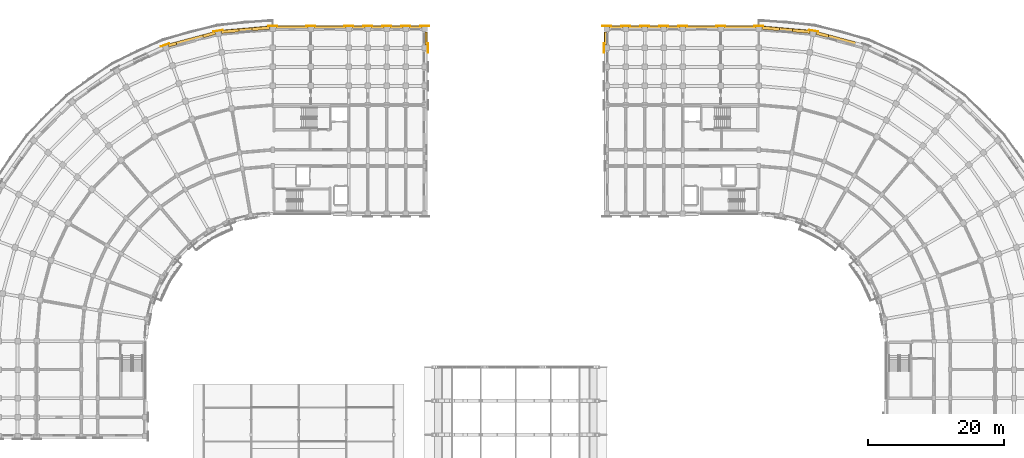
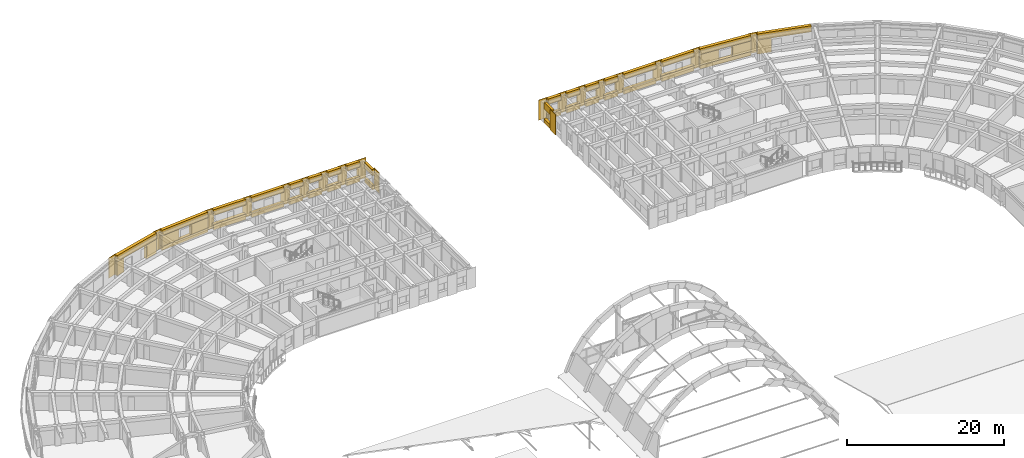
# One storey, part 75 of 76: 60 coverings.
"""IFC4 building model written with IfcOpenShell, lengths in metres."""

import ifcopenshell
import ifcopenshell.guid

model = None  # the IFC model being written
_history = None  # IfcOwnerHistory: only IFC2X3 demands one
_inside = {}  # id of a spatial element -> (the spatial element, [elements in it])
_under = {}  # id of a project, library or spatial element -> (it, [spatial elements below it])
_declared = {}  # id of a project -> (the project, [libraries it declares])
_typed = {}  # id of a type object -> (the type object, [elements of that type])
_made_of = {}  # id of a material, layer set ... -> (it, [elements and type objects made of it])


def new_model(schema):
    """Start an empty IFC model of exactly this schema.

    Asked for "IFC4X3", IfcOpenShell would pick the latest addendum, in which some entities
    have other attributes; the version numbers below select the first issue.
    IFC2X3 requires an IfcOwnerHistory on every rooted entity: one is made here for all.
    """
    global model, _history
    if schema == "IFC4X3":
        model = ifcopenshell.file(schema_version=(4, 3, 0, 0))
    else:
        model = ifcopenshell.file(schema=schema)
    _inside.clear()
    _under.clear()
    _declared.clear()
    _typed.clear()
    _made_of.clear()
    _history = None
    if model.schema == "IFC2X3":
        org = make("IfcOrganization", Name="unknown")
        user = make(
            "IfcPersonAndOrganization",
            ThePerson=make("IfcPerson", FamilyName="unknown"),
            TheOrganization=org,
        )
        app = make(
            "IfcApplication",
            ApplicationDeveloper=org,
            Version="unknown",
            ApplicationFullName="unknown",
            ApplicationIdentifier="unknown",
        )
        _history = make(
            "IfcOwnerHistory",
            OwningUser=user,
            OwningApplication=app,
            ChangeAction="ADDED",
            CreationDate=0,
        )
    return model


def make(cls, **values):
    """One entity of the class cls with the attributes given. An attribute that is None is left unset."""
    return model.create_entity(
        cls, **{name: value for name, value in values.items() if value is not None}
    )


def rooted(cls, **values):
    """An entity with a GlobalId (a new one), such as an element, a storey or a relation."""
    return make(cls, GlobalId=ifcopenshell.guid.new(), OwnerHistory=_history, **values)


def si_unit(unit_type, name, prefix=None):
    """IfcSIUnit, for example si_unit("LENGTHUNIT", "METRE", prefix="MILLI")."""
    return make("IfcSIUnit", UnitType=unit_type, Prefix=prefix, Name=name)


def assignment(units):
    """IfcUnitAssignment: the units of a project."""
    return None if units is None else make("IfcUnitAssignment", Units=units)


def point(xyz):
    """IfcCartesianPoint."""
    return None if xyz is None else make("IfcCartesianPoint", Coordinates=xyz)


def direction(xyz):
    """IfcDirection."""
    return None if xyz is None else make("IfcDirection", DirectionRatios=xyz)


def frame(location, z_axis=None, x_axis=None):
    """IfcAxis2Placement3D, a coordinate frame: its origin and axes. An axis left out is left unset."""
    return make(
        "IfcAxis2Placement3D",
        Location=point(location),
        Axis=direction(z_axis),
        RefDirection=direction(x_axis),
    )


def origin():
    """The frame at (0, 0, 0) with its axes left unset."""
    return frame((0.0, 0.0, 0.0))


def place(relative_to, where):
    """IfcLocalPlacement: puts the frame where relative to a parent placement (None: the world)."""
    return make(
        "IfcLocalPlacement", PlacementRelTo=relative_to, RelativePlacement=where
    )


def context(
    kind, dimensions, precision=None, world=None, true_north=None, identifier=None
):
    """IfcGeometricRepresentationContext, for example the 3D "Model" context."""
    return make(
        "IfcGeometricRepresentationContext",
        ContextIdentifier=identifier,
        ContextType=kind,
        CoordinateSpaceDimension=dimensions,
        Precision=precision,
        WorldCoordinateSystem=world,
        TrueNorth=true_north,
    )


def subcontext(parent, identifier, kind, view, scale=None):
    """IfcGeometricRepresentationSubContext, for example "Body" below "Model"."""
    return make(
        "IfcGeometricRepresentationSubContext",
        ContextIdentifier=identifier,
        ContextType=kind,
        ParentContext=parent,
        TargetScale=scale,
        TargetView=view,
    )


def project(units=None, contexts=None):
    """IfcProject with its units and contexts."""
    return rooted(
        "IfcProject",
        Name="project",
        RepresentationContexts=contexts,
        UnitsInContext=assignment(units),
    )


def spatial(cls, under=None, at=None, **own):
    """A site, building, storey or space (cls), placed at a placement, below another one or the project."""
    s = rooted(cls, ObjectPlacement=at, **own)
    if under is not None:
        _under.setdefault(under.id(), (under, []))[1].append(s)
    return s


def polyline(points):
    """IfcPolyline through the points."""
    return make("IfcPolyline", Points=[point(p) for p in points])


def outline(outer, holes=None, kind="AREA"):
    """IfcArbitraryClosedProfileDef: a profile drawn as a closed curve; with holes, ...WithVoids."""
    if holes is None:
        return make("IfcArbitraryClosedProfileDef", ProfileType=kind, OuterCurve=outer)
    return make(
        "IfcArbitraryProfileDefWithVoids",
        ProfileType=kind,
        OuterCurve=outer,
        InnerCurves=holes,
    )


def extrude(swept, where, along, depth):
    """IfcExtrudedAreaSolid: the profile swept, set in the frame where, extruded along a direction by depth."""
    return make(
        "IfcExtrudedAreaSolid",
        SweptArea=swept,
        Position=where,
        ExtrudedDirection=direction(along),
        Depth=depth,
    )


def shape(context_of_items, identifier, shape_type, items):
    """IfcShapeRepresentation: the items that make up one representation, for example the "Body"."""
    return make(
        "IfcShapeRepresentation",
        ContextOfItems=context_of_items,
        RepresentationIdentifier=identifier,
        RepresentationType=shape_type,
        Items=items,
    )


def material(Name=None, Category=None):
    """IfcMaterial."""
    return make("IfcMaterial", Name=Name, Category=Category)


def layer(
    of_material, thickness, ventilated=None, Name=None, Category=None, Priority=None
):
    """IfcMaterialLayer: one layer of a wall or slab, of a material (None: an air gap)."""
    return make(
        "IfcMaterialLayer",
        Material=of_material,
        LayerThickness=thickness,
        IsVentilated=ventilated,
        Name=Name,
        Category=Category,
        Priority=Priority,
    )


def layer_set(layers, Name=None):
    """IfcMaterialLayerSet."""
    return make("IfcMaterialLayerSet", MaterialLayers=layers, LayerSetName=Name)


def made_of(thing, what):
    """Note that an element or type object is made of a material, layer set ...; save() writes the relation."""
    if what is not None:
        _made_of.setdefault(what.id(), (what, []))[1].append(thing)
    return thing


def type_object(cls, material=None, **own):
    """A type object (cls), such as IfcWallType, which elements share."""
    return made_of(rooted(cls, **own), material)


def element(
    cls,
    number,
    at=None,
    inside=None,
    cuts=None,
    type_object=None,
    material=None,
    context=None,
    identifier="Body",
    shape_type=None,
    held_by="IfcProductDefinitionShape",
    body=None,
    shapes=None,
    **own,
):
    """One element of the class cls, such as IfcWall. Its Tag is "e" and its number.

    at: its placement. inside: the storey or other place that contains it. cuts: it is an
    opening in that element (IfcRelVoidsElement). A single representation is given by context,
    identifier, shape_type and body (its items); several are given by shapes. held_by: the class
    of the entity that holds the representations. save() writes the other relations.
    """
    e = rooted(cls, Tag="e%d" % number, ObjectPlacement=at, **own)
    if body is not None:
        shapes = [shape(context, identifier, shape_type, body)]
    if shapes is not None:
        e.Representation = make(held_by, Representations=shapes)
    if inside is not None:
        _inside.setdefault(inside.id(), (inside, []))[1].append(e)
    if cuts is not None:
        rooted(
            "IfcRelVoidsElement", RelatingBuildingElement=cuts, RelatedOpeningElement=e
        )
    if type_object is not None:
        _typed.setdefault(type_object.id(), (type_object, []))[1].append(e)
    return made_of(e, material)


def aggregate(whole, parts):
    """IfcRelAggregates: a whole, such as a stair, and the parts it consists of."""
    return rooted("IfcRelAggregates", RelatingObject=whole, RelatedObjects=parts)


def save(model, path):
    """Write the relations noted so far, then the file.

    IfcRelAggregates (storeys below a building ...), IfcRelContainedInSpatialStructure (elements
    in a storey), IfcRelDefinesByType, IfcRelAssociatesMaterial and IfcRelDeclares: one each for
    every whole, place, type object, material and project.
    """
    for whole, parts in _under.values():
        aggregate(whole, parts)
    for where, things in _inside.values():
        rooted(
            "IfcRelContainedInSpatialStructure",
            RelatedElements=things,
            RelatingStructure=where,
        )
    for kind, things in _typed.values():
        rooted("IfcRelDefinesByType", RelatedObjects=things, RelatingType=kind)
    for what, things in _made_of.values():
        rooted("IfcRelAssociatesMaterial", RelatedObjects=things, RelatingMaterial=what)
    for by, libraries in _declared.values():
        rooted("IfcRelDeclares", RelatingContext=by, RelatedDefinitions=libraries)
    model.write(path)


model = new_model("IFC4")

# Units and contexts
model_context = context("Model", 3, precision=1e-05, world=origin(), true_north=direction((0.0, 1.0)))
body_context = subcontext(model_context, "Body", "Model", "MODEL_VIEW")
ifc_project = project(units=[si_unit("LENGTHUNIT", "METRE"), si_unit("AREAUNIT", "SQUARE_METRE"), si_unit("VOLUMEUNIT", "CUBIC_METRE"), si_unit("PLANEANGLEUNIT", "RADIAN"), si_unit("MASSUNIT", "GRAM", prefix="KILO")], contexts=[model_context])

# Site, building, storey
site_placement = place(None, origin())
site = spatial("IfcSite", under=ifc_project, at=site_placement, CompositionType="ELEMENT")
building_placement = place(site_placement, origin())
building = spatial("IfcBuilding", under=site, at=building_placement, Name="Kiranvali Square Residences", CompositionType="ELEMENT")
storey_placement = place(building_placement, frame((0.0, 0.0, 8.699951171875)))
storey = spatial("IfcBuildingStorey", under=building, at=storey_placement, Name="L02", CompositionType="ELEMENT", Elevation=8.699951171875)

# Coverings
ifc_material = material(Name="Honed Porbandar limestone ashlar facade cladding", Category="masonry")
ifc_layer_1 = layer(ifc_material, 0.3798828125)
ifc_layer_set_1 = layer_set([ifc_layer_1], Name="Honed Porbandar limestone ashlar facade cladding")
covering_type_1 = type_object("IfcCoveringType", Name="COV-CLAD-JAMB", PredefinedType="CLADDING", material=ifc_layer_set_1)
covering_1_placement = place(storey_placement, frame((0.0, 0.0, 0.6220703125)))
element("IfcCovering", 1, at=covering_1_placement, inside=storey, type_object=covering_type_1, Name="L02 deep limestone window jamb reveal A-L02-CRV-00.L", PredefinedType="CLADDING", context=body_context, shape_type="SweptSolid", body=[
    extrude(outline(polyline([(47.711669921875, 134.218994140625), (45.1123046875, 133.99169921875), (45.15234375, 133.533935546875), (47.751708984375, 133.76123046875), (47.711669921875, 134.218994140625)])), origin(), (0.0, 0.0, 1.0), 1.64990234375),
])
covering_2_placement = place(storey_placement, frame((0.0, 0.0, 0.6220703125)))
element("IfcCovering", 2, at=covering_2_placement, inside=storey, type_object=covering_type_1, Name="L02 deep limestone window jamb reveal A-L02-CRV-00.R", PredefinedType="CLADDING", context=body_context, shape_type="SweptSolid", body=[
    extrude(outline(polyline([(43.2197265625, 133.825927734375), (40.620361328125, 133.5986328125), (40.660400390625, 133.140869140625), (43.259765625, 133.3681640625), (43.2197265625, 133.825927734375)])), origin(), (0.0, 0.0, 1.0), 1.64990234375),
])
covering_3_placement = place(storey_placement, origin())
element("IfcCovering", 3, at=covering_3_placement, inside=storey, type_object=covering_type_1, Name="L02 deep limestone window jamb reveal A-L02-CRV-01.L", PredefinedType="CLADDING", context=body_context, shape_type="SweptSolid", body=[
    extrude(outline(polyline([(39.658447265625, 133.428955078125), (37.8798828125, 132.952392578125), (37.998779296875, 132.508544921875), (39.77734375, 132.985107421875), (39.658447265625, 133.428955078125)])), origin(), (0.0, 0.0, 1.0), 2.179931640625),
])
covering_4_placement = place(storey_placement, origin())
element("IfcCovering", 4, at=covering_4_placement, inside=storey, type_object=covering_type_1, Name="L02 deep limestone window jamb reveal A-L02-CRV-01.R", PredefinedType="CLADDING", context=body_context, shape_type="SweptSolid", body=[
    extrude(outline(polyline([(33.942626953125, 131.8974609375), (32.78271484375, 131.586669921875), (32.901611328125, 131.142822265625), (34.0615234375, 131.45361328125), (33.942626953125, 131.8974609375)])), origin(), (0.0, 0.0, 1.0), 2.179931640625),
])
covering_5_placement = place(storey_placement, frame((0.0, 0.0, 0.6220703125)))
element("IfcCovering", 5, at=covering_5_placement, inside=storey, type_object=covering_type_1, Name="L02 deep limestone window jamb reveal B-L02-CRV-00.L", PredefinedType="CLADDING", context=body_context, shape_type="SweptSolid", body=[
    extrude(outline(polyline([(120.248291015625, 133.76123046875), (122.84765625, 133.533935546875), (122.8876953125, 133.99169921875), (120.288330078125, 134.218994140625), (120.248291015625, 133.76123046875)])), origin(), (0.0, 0.0, 1.0), 1.64990234375),
])
covering_6_placement = place(storey_placement, frame((0.0, 0.0, 0.6220703125)))
element("IfcCovering", 6, at=covering_6_placement, inside=storey, type_object=covering_type_1, Name="L02 deep limestone window jamb reveal B-L02-CRV-00.R", PredefinedType="CLADDING", context=body_context, shape_type="SweptSolid", body=[
    extrude(outline(polyline([(124.740234375, 133.3681640625), (127.339599609375, 133.140869140625), (127.379638671875, 133.5986328125), (124.7802734375, 133.825927734375), (124.740234375, 133.3681640625)])), origin(), (0.0, 0.0, 1.0), 1.64990234375),
])
covering_7_placement = place(storey_placement, origin())
element("IfcCovering", 7, at=covering_7_placement, inside=storey, type_object=covering_type_1, Name="L02 deep limestone window jamb reveal B-L02-CRV-01.L", PredefinedType="CLADDING", context=body_context, shape_type="SweptSolid", body=[
    extrude(outline(polyline([(128.22265625, 132.985107421875), (130.001220703125, 132.508544921875), (130.1201171875, 132.952392578125), (128.341552734375, 133.428955078125), (128.22265625, 132.985107421875)])), origin(), (0.0, 0.0, 1.0), 2.179931640625),
])
ifc_layer_2 = layer(ifc_material, 0.06494140625)
ifc_layer_set_2 = layer_set([ifc_layer_2], Name="Honed Porbandar limestone ashlar facade cladding")
covering_type_2 = type_object("IfcCoveringType", Name="COV-CLAD-PIER", PredefinedType="CLADDING", material=ifc_layer_set_2)
covering_8_placement = place(storey_placement, frame((0.0, 0.0, 0.005126953125)))
element("IfcCovering", 8, at=covering_8_placement, inside=storey, type_object=covering_type_2, Name="L02 Classical limestone corner pilaster CLAD-PR-A-L02-A00", PredefinedType="CLADDING", context=body_context, shape_type="SweptSolid", body=[
    extrude(outline(polyline([(48.8798828125, 134.26806640625), (47.52001953125, 134.26806640625), (47.52001953125, 134.200439453125), (48.8798828125, 134.200439453125), (48.8798828125, 134.26806640625)])), origin(), (0.0, 0.0, 1.0), 3.139892578125),
])
covering_9_placement = place(storey_placement, frame((0.0, 0.0, 0.005126953125)))
element("IfcCovering", 9, at=covering_9_placement, inside=storey, type_object=covering_type_2, Name="L02 Classical limestone corner pilaster CLAD-PR-A-L02-A01", PredefinedType="CLADDING", context=body_context, shape_type="SweptSolid", body=[
    extrude(outline(polyline([(40.800537109375, 133.68017578125), (39.461181640625, 133.444091796875), (39.472900390625, 133.37744140625), (40.812255859375, 133.61376953125), (40.800537109375, 133.68017578125)])), origin(), (0.0, 0.0, 1.0), 3.139892578125),
])
covering_10_placement = place(storey_placement, frame((0.0, 0.0, 0.005126953125)))
element("IfcCovering", 10, at=covering_10_placement, inside=storey, type_object=covering_type_2, Name="L02 Classical limestone corner pilaster CLAD-PR-A-L02-A02", PredefinedType="CLADDING", context=body_context, shape_type="SweptSolid", body=[
    extrude(outline(polyline([(32.946044921875, 131.6982421875), (31.66796875, 131.233154296875), (31.691162109375, 131.169677734375), (32.968994140625, 131.634765625), (32.946044921875, 131.6982421875)])), origin(), (0.0, 0.0, 1.0), 3.139892578125),
])
covering_11_placement = place(storey_placement, frame((0.0, 0.0, 0.005126953125)))
element("IfcCovering", 11, at=covering_11_placement, inside=storey, type_object=covering_type_2, Name="L02 Classical limestone pilaster casing CLAD-PR-A-L02-U56", PredefinedType="CLADDING", context=body_context, shape_type="SweptSolid", body=[
    extrude(outline(polyline([(53.1201171875, 134.200439453125), (54.47998046875, 134.200439453125), (54.47998046875, 134.26806640625), (53.1201171875, 134.26806640625), (53.1201171875, 134.200439453125)])), origin(), (0.0, 0.0, 1.0), 3.139892578125),
])
covering_12_placement = place(storey_placement, frame((0.0, 0.0, 0.005126953125)))
element("IfcCovering", 12, at=covering_12_placement, inside=storey, type_object=covering_type_2, Name="L02 Classical limestone pilaster casing CLAD-PR-A-L02-U112", PredefinedType="CLADDING", context=body_context, shape_type="SweptSolid", body=[
    extrude(outline(polyline([(58.719970703125, 134.200439453125), (60.080078125, 134.200439453125), (60.080078125, 134.26806640625), (58.719970703125, 134.26806640625), (58.719970703125, 134.200439453125)])), origin(), (0.0, 0.0, 1.0), 3.139892578125),
])
covering_13_placement = place(storey_placement, frame((0.0, 0.0, 0.005126953125)))
element("IfcCovering", 13, at=covering_13_placement, inside=storey, type_object=covering_type_2, Name="L02 Classical limestone pilaster casing CLAD-PR-A-L02-U140", PredefinedType="CLADDING", context=body_context, shape_type="SweptSolid", body=[
    extrude(outline(polyline([(61.52001953125, 134.200439453125), (62.8798828125, 134.200439453125), (62.8798828125, 134.26806640625), (61.52001953125, 134.26806640625), (61.52001953125, 134.200439453125)])), origin(), (0.0, 0.0, 1.0), 3.139892578125),
])
covering_14_placement = place(storey_placement, frame((0.0, 0.0, 0.005126953125)))
element("IfcCovering", 14, at=covering_14_placement, inside=storey, type_object=covering_type_2, Name="L02 Classical limestone pilaster casing CLAD-PR-A-L02-U167", PredefinedType="CLADDING", context=body_context, shape_type="SweptSolid", body=[
    extrude(outline(polyline([(64.320068359375, 134.200439453125), (65.679931640625, 134.200439453125), (65.679931640625, 134.26806640625), (64.320068359375, 134.26806640625), (64.320068359375, 134.200439453125)])), origin(), (0.0, 0.0, 1.0), 3.139892578125),
])
covering_15_placement = place(storey_placement, frame((0.0, 0.0, 0.005126953125)))
element("IfcCovering", 15, at=covering_15_placement, inside=storey, type_object=covering_type_2, Name="L02 Classical limestone pilaster casing CLAD-PR-A-L02-U195", PredefinedType="CLADDING", context=body_context, shape_type="SweptSolid", body=[
    extrude(outline(polyline([(67.1201171875, 134.200439453125), (68.47998046875, 134.200439453125), (68.47998046875, 134.26806640625), (67.1201171875, 134.26806640625), (67.1201171875, 134.200439453125)])), origin(), (0.0, 0.0, 1.0), 3.139892578125),
])
covering_16_placement = place(storey_placement, frame((0.0, 0.0, 0.005126953125)))
element("IfcCovering", 16, at=covering_16_placement, inside=storey, type_object=covering_type_2, Name="L02 Classical limestone pilaster casing CLAD-PR-A-L02-U224", PredefinedType="CLADDING", context=body_context, shape_type="SweptSolid", body=[
    extrude(outline(polyline([(69.919921875, 134.200439453125), (71.280029296875, 134.200439453125), (71.280029296875, 134.26806640625), (69.919921875, 134.26806640625), (69.919921875, 134.200439453125)])), origin(), (0.0, 0.0, 1.0), 3.139892578125),
])
covering_17_placement = place(storey_placement, frame((0.0, 0.0, 0.005126953125)))
element("IfcCovering", 17, at=covering_17_placement, inside=storey, type_object=covering_type_2, Name="L02 Classical limestone corner pilaster CLAD-PR-B-L02-A00", PredefinedType="CLADDING", context=body_context, shape_type="SweptSolid", body=[
    extrude(outline(polyline([(120.47998046875, 134.26806640625), (119.1201171875, 134.26806640625), (119.1201171875, 134.200439453125), (120.47998046875, 134.200439453125), (120.47998046875, 134.26806640625)])), origin(), (0.0, 0.0, 1.0), 3.139892578125),
])
covering_18_placement = place(storey_placement, frame((0.0, 0.0, 0.005126953125)))
element("IfcCovering", 18, at=covering_18_placement, inside=storey, type_object=covering_type_2, Name="L02 Classical limestone corner pilaster CLAD-PR-B-L02-A01", PredefinedType="CLADDING", context=body_context, shape_type="SweptSolid", body=[
    extrude(outline(polyline([(128.538818359375, 133.444091796875), (127.199462890625, 133.68017578125), (127.187744140625, 133.61376953125), (128.527099609375, 133.37744140625), (128.538818359375, 133.444091796875)])), origin(), (0.0, 0.0, 1.0), 3.139892578125),
])
covering_19_placement = place(storey_placement, frame((0.0, 0.0, 0.005126953125)))
element("IfcCovering", 19, at=covering_19_placement, inside=storey, type_object=covering_type_2, Name="L02 Classical limestone pilaster casing CLAD-PR-B-L02-U56", PredefinedType="CLADDING", context=body_context, shape_type="SweptSolid", body=[
    extrude(outline(polyline([(114.8798828125, 134.26806640625), (113.52001953125, 134.26806640625), (113.52001953125, 134.200439453125), (114.8798828125, 134.200439453125), (114.8798828125, 134.26806640625)])), origin(), (0.0, 0.0, 1.0), 3.139892578125),
])
covering_20_placement = place(storey_placement, frame((0.0, 0.0, 0.005126953125)))
element("IfcCovering", 20, at=covering_20_placement, inside=storey, type_object=covering_type_2, Name="L02 Classical limestone pilaster casing CLAD-PR-B-L02-U112", PredefinedType="CLADDING", context=body_context, shape_type="SweptSolid", body=[
    extrude(outline(polyline([(109.280029296875, 134.26806640625), (107.919921875, 134.26806640625), (107.919921875, 134.200439453125), (109.280029296875, 134.200439453125), (109.280029296875, 134.26806640625)])), origin(), (0.0, 0.0, 1.0), 3.139892578125),
])
covering_21_placement = place(storey_placement, frame((0.0, 0.0, 0.005126953125)))
element("IfcCovering", 21, at=covering_21_placement, inside=storey, type_object=covering_type_2, Name="L02 Classical limestone pilaster casing CLAD-PR-B-L02-U140", PredefinedType="CLADDING", context=body_context, shape_type="SweptSolid", body=[
    extrude(outline(polyline([(106.47998046875, 134.26806640625), (105.1201171875, 134.26806640625), (105.1201171875, 134.200439453125), (106.47998046875, 134.200439453125), (106.47998046875, 134.26806640625)])), origin(), (0.0, 0.0, 1.0), 3.139892578125),
])
covering_22_placement = place(storey_placement, frame((0.0, 0.0, 0.005126953125)))
element("IfcCovering", 22, at=covering_22_placement, inside=storey, type_object=covering_type_2, Name="L02 Classical limestone pilaster casing CLAD-PR-B-L02-U167", PredefinedType="CLADDING", context=body_context, shape_type="SweptSolid", body=[
    extrude(outline(polyline([(103.679931640625, 134.26806640625), (102.320068359375, 134.26806640625), (102.320068359375, 134.200439453125), (103.679931640625, 134.200439453125), (103.679931640625, 134.26806640625)])), origin(), (0.0, 0.0, 1.0), 3.139892578125),
])
covering_23_placement = place(storey_placement, frame((0.0, 0.0, 0.005126953125)))
element("IfcCovering", 23, at=covering_23_placement, inside=storey, type_object=covering_type_2, Name="L02 Classical limestone pilaster casing CLAD-PR-B-L02-U195", PredefinedType="CLADDING", context=body_context, shape_type="SweptSolid", body=[
    extrude(outline(polyline([(100.8798828125, 134.26806640625), (99.52001953125, 134.26806640625), (99.52001953125, 134.200439453125), (100.8798828125, 134.200439453125), (100.8798828125, 134.26806640625)])), origin(), (0.0, 0.0, 1.0), 3.139892578125),
])
covering_24_placement = place(storey_placement, frame((0.0, 0.0, 0.005126953125)))
element("IfcCovering", 24, at=covering_24_placement, inside=storey, type_object=covering_type_2, Name="L02 Classical limestone pilaster casing CLAD-PR-B-L02-U224", PredefinedType="CLADDING", context=body_context, shape_type="SweptSolid", body=[
    extrude(outline(polyline([(98.080078125, 134.26806640625), (96.719970703125, 134.26806640625), (96.719970703125, 134.200439453125), (98.080078125, 134.200439453125), (98.080078125, 134.26806640625)])), origin(), (0.0, 0.0, 1.0), 3.139892578125),
])
ifc_layer_3 = layer(ifc_material, 0.054931640625)
ifc_layer_set_3 = layer_set([ifc_layer_3], Name="Honed Porbandar limestone ashlar facade cladding")
covering_type_3 = type_object("IfcCoveringType", Name="COV-CLAD-PIER-UP", PredefinedType="CLADDING", material=ifc_layer_set_3)
covering_25_placement = place(storey_placement, frame((0.0, 0.0, 0.005126953125)))
element("IfcCovering", 25, at=covering_25_placement, inside=storey, type_object=covering_type_3, Name="L02 Classical limestone pilaster casing CLAD-PRA1E-A-L02-R432", PredefinedType="CLADDING", context=body_context, shape_type="SweptSolid", body=[
    extrude(outline(polyline([(71.068115234375, 130.320068359375), (71.068115234375, 131.679931640625), (71.00048828125, 131.679931640625), (71.00048828125, 130.320068359375), (71.068115234375, 130.320068359375)])), origin(), (0.0, 0.0, 1.0), 3.139892578125),
])
covering_26_placement = place(storey_placement, frame((0.0, 0.0, 0.005126953125)))
element("IfcCovering", 26, at=covering_26_placement, inside=storey, type_object=covering_type_3, Name="L02 Classical limestone pilaster casing CLAD-PRA1E-B-L02-R432", PredefinedType="CLADDING", context=body_context, shape_type="SweptSolid", body=[
    extrude(outline(polyline([(96.99951171875, 130.320068359375), (96.99951171875, 131.679931640625), (96.931884765625, 131.679931640625), (96.931884765625, 130.320068359375), (96.99951171875, 130.320068359375)])), origin(), (0.0, 0.0, 1.0), 3.139892578125),
])
ifc_layer_4 = layer(ifc_material, 0.360107421875)
ifc_layer_set_4 = layer_set([ifc_layer_4], Name="Honed Porbandar limestone ashlar facade cladding")
covering_type_4 = type_object("IfcCoveringType", Name="COV-CLAD-WALL", PredefinedType="CLADDING", material=ifc_layer_set_4)
covering_27_placement = place(storey_placement, frame((0.0, 0.0, 2.27197265625)))
element("IfcCovering", 27, at=covering_27_placement, inside=storey, type_object=covering_type_4, Name="L02 light limestone spandrel lintel A-L02-CRV-00", PredefinedType="CLADDING", context=body_context, shape_type="SweptSolid", body=[
    extrude(outline(polyline([(47.711669921875, 134.218994140625), (40.620361328125, 133.5986328125), (40.660400390625, 133.140869140625), (47.751708984375, 133.76123046875), (47.711669921875, 134.218994140625)])), origin(), (0.0, 0.0, 1.0), 0.873046875),
])
covering_28_placement = place(storey_placement, frame((0.0, 0.0, 0.005126953125)))
element("IfcCovering", 28, at=covering_28_placement, inside=storey, type_object=covering_type_4, Name="L02 limestone window sill apron A-L02-CRV-00", PredefinedType="CLADDING", context=body_context, shape_type="SweptSolid", body=[
    extrude(outline(polyline([(47.708984375, 134.2490234375), (40.61767578125, 133.62841796875), (40.660400390625, 133.140869140625), (47.751708984375, 133.76123046875), (47.708984375, 134.2490234375)])), origin(), (0.0, 0.0, 1.0), 0.616943359375),
])
covering_29_placement = place(storey_placement, frame((0.0, 0.0, 2.179931640625)))
element("IfcCovering", 29, at=covering_29_placement, inside=storey, type_object=covering_type_4, Name="L02 light limestone spandrel lintel A-L02-CRV-01", PredefinedType="CLADDING", context=body_context, shape_type="SweptSolid", body=[
    extrude(outline(polyline([(39.658447265625, 133.428955078125), (32.78271484375, 131.586669921875), (32.901611328125, 131.142822265625), (39.77734375, 132.985107421875), (39.658447265625, 133.428955078125)])), origin(), (0.0, 0.0, 1.0), 0.965087890625),
])
covering_30_placement = place(storey_placement, frame((0.0, 0.0, 2.22998046875)))
element("IfcCovering", 30, at=covering_30_placement, inside=storey, type_object=covering_type_4, Name="L02 light limestone spandrel lintel A-L02-A1O-0", PredefinedType="CLADDING", context=body_context, shape_type="SweptSolid", body=[
    extrude(outline(polyline([(48.639892578125, 133.800537109375), (53.360107421875, 133.800537109375), (53.360107421875, 134.25), (48.639892578125, 134.25), (48.639892578125, 133.800537109375)])), origin(), (0.0, 0.0, 1.0), 0.9150390625),
])
covering_31_placement = place(storey_placement, frame((0.0, 0.0, 0.005126953125)))
element("IfcCovering", 31, at=covering_31_placement, inside=storey, type_object=covering_type_4, Name="L02 limestone window sill apron A-L02-A1O-0", PredefinedType="CLADDING", context=body_context, shape_type="SweptSolid", body=[
    extrude(outline(polyline([(48.639892578125, 133.800537109375), (53.360107421875, 133.800537109375), (53.360107421875, 134.280029296875), (48.639892578125, 134.280029296875), (48.639892578125, 133.800537109375)])), origin(), (0.0, 0.0, 1.0), 0.875),
])
covering_32_placement = place(storey_placement, frame((0.0, 0.0, 2.27197265625)))
element("IfcCovering", 32, at=covering_32_placement, inside=storey, type_object=covering_type_4, Name="L02 light limestone spandrel lintel A-L02-A1O-1", PredefinedType="CLADDING", context=body_context, shape_type="SweptSolid", body=[
    extrude(outline(polyline([(54.239990234375, 133.800537109375), (58.9599609375, 133.800537109375), (58.9599609375, 134.25), (54.239990234375, 134.25), (54.239990234375, 133.800537109375)])), origin(), (0.0, 0.0, 1.0), 0.873046875),
])
covering_33_placement = place(storey_placement, frame((0.0, 0.0, 0.005126953125)))
element("IfcCovering", 33, at=covering_33_placement, inside=storey, type_object=covering_type_4, Name="L02 limestone window sill apron A-L02-A1O-1", PredefinedType="CLADDING", context=body_context, shape_type="SweptSolid", body=[
    extrude(outline(polyline([(54.239990234375, 133.800537109375), (58.9599609375, 133.800537109375), (58.9599609375, 134.280029296875), (54.239990234375, 134.280029296875), (54.239990234375, 133.800537109375)])), origin(), (0.0, 0.0, 1.0), 0.6669921875),
])
covering_34_placement = place(storey_placement, frame((0.0, 0.0, 2.27197265625)))
element("IfcCovering", 34, at=covering_34_placement, inside=storey, type_object=covering_type_4, Name="L02 light limestone spandrel lintel A-L02-A1O-2", PredefinedType="CLADDING", context=body_context, shape_type="SweptSolid", body=[
    extrude(outline(polyline([(59.840087890625, 133.800537109375), (61.760009765625, 133.800537109375), (61.760009765625, 134.25), (59.840087890625, 134.25), (59.840087890625, 133.800537109375)])), origin(), (0.0, 0.0, 1.0), 0.873046875),
])
covering_35_placement = place(storey_placement, frame((0.0, 0.0, 0.005126953125)))
element("IfcCovering", 35, at=covering_35_placement, inside=storey, type_object=covering_type_4, Name="L02 limestone window sill apron A-L02-A1O-2", PredefinedType="CLADDING", context=body_context, shape_type="SweptSolid", body=[
    extrude(outline(polyline([(59.840087890625, 133.800537109375), (61.760009765625, 133.800537109375), (61.760009765625, 134.280029296875), (59.840087890625, 134.280029296875), (59.840087890625, 133.800537109375)])), origin(), (0.0, 0.0, 1.0), 0.766845703125),
])
covering_36_placement = place(storey_placement, frame((0.0, 0.0, 2.27197265625)))
element("IfcCovering", 36, at=covering_36_placement, inside=storey, type_object=covering_type_4, Name="L02 light limestone spandrel lintel A-L02-A1O-3", PredefinedType="CLADDING", context=body_context, shape_type="SweptSolid", body=[
    extrude(outline(polyline([(62.639892578125, 133.800537109375), (64.56005859375, 133.800537109375), (64.56005859375, 134.25), (62.639892578125, 134.25), (62.639892578125, 133.800537109375)])), origin(), (0.0, 0.0, 1.0), 0.873046875),
])
covering_37_placement = place(storey_placement, frame((0.0, 0.0, 0.005126953125)))
element("IfcCovering", 37, at=covering_37_placement, inside=storey, type_object=covering_type_4, Name="L02 limestone window sill apron A-L02-A1O-3", PredefinedType="CLADDING", context=body_context, shape_type="SweptSolid", body=[
    extrude(outline(polyline([(62.639892578125, 133.800537109375), (64.56005859375, 133.800537109375), (64.56005859375, 134.280029296875), (62.639892578125, 134.280029296875), (62.639892578125, 133.800537109375)])), origin(), (0.0, 0.0, 1.0), 0.81689453125),
])
covering_38_placement = place(storey_placement, frame((0.0, 0.0, 2.22998046875)))
element("IfcCovering", 38, at=covering_38_placement, inside=storey, type_object=covering_type_4, Name="L02 light limestone spandrel lintel A-L02-A1O-4", PredefinedType="CLADDING", context=body_context, shape_type="SweptSolid", body=[
    extrude(outline(polyline([(65.43994140625, 133.800537109375), (67.360107421875, 133.800537109375), (67.360107421875, 134.25), (65.43994140625, 134.25), (65.43994140625, 133.800537109375)])), origin(), (0.0, 0.0, 1.0), 0.9150390625),
])
covering_39_placement = place(storey_placement, frame((0.0, 0.0, 0.005126953125)))
element("IfcCovering", 39, at=covering_39_placement, inside=storey, type_object=covering_type_4, Name="L02 limestone window sill apron A-L02-A1O-4", PredefinedType="CLADDING", context=body_context, shape_type="SweptSolid", body=[
    extrude(outline(polyline([(65.43994140625, 133.800537109375), (67.360107421875, 133.800537109375), (67.360107421875, 134.280029296875), (65.43994140625, 134.280029296875), (65.43994140625, 133.800537109375)])), origin(), (0.0, 0.0, 1.0), 0.875),
])
covering_40_placement = place(storey_placement, frame((0.0, 0.0, 2.27197265625)))
element("IfcCovering", 40, at=covering_40_placement, inside=storey, type_object=covering_type_4, Name="L02 light limestone spandrel lintel A-L02-A1O-5", PredefinedType="CLADDING", context=body_context, shape_type="SweptSolid", body=[
    extrude(outline(polyline([(68.239990234375, 133.800537109375), (70.159912109375, 133.800537109375), (70.159912109375, 134.25), (68.239990234375, 134.25), (68.239990234375, 133.800537109375)])), origin(), (0.0, 0.0, 1.0), 0.873046875),
])
covering_41_placement = place(storey_placement, frame((0.0, 0.0, 0.005126953125)))
element("IfcCovering", 41, at=covering_41_placement, inside=storey, type_object=covering_type_4, Name="L02 limestone window sill apron A-L02-A1O-5", PredefinedType="CLADDING", context=body_context, shape_type="SweptSolid", body=[
    extrude(outline(polyline([(68.239990234375, 133.800537109375), (70.159912109375, 133.800537109375), (70.159912109375, 134.280029296875), (68.239990234375, 134.280029296875), (68.239990234375, 133.800537109375)])), origin(), (0.0, 0.0, 1.0), 0.766845703125),
])
covering_42_placement = place(storey_placement, frame((0.0, 0.0, 2.172119140625)))
element("IfcCovering", 42, at=covering_42_placement, inside=storey, type_object=covering_type_4, Name="L02 light limestone spandrel lintel A-L02-A1END-6", PredefinedType="CLADDING", context=body_context, shape_type="SweptSolid", body=[
    extrude(outline(polyline([(70.93994140625, 131.419921875), (70.93994140625, 133.3798828125), (70.6005859375, 133.3798828125), (70.6005859375, 131.419921875), (70.93994140625, 131.419921875)])), origin(), (0.0, 0.0, 1.0), 0.972900390625),
])
covering_43_placement = place(storey_placement, frame((0.0, 0.0, 0.005126953125)))
element("IfcCovering", 43, at=covering_43_placement, inside=storey, type_object=covering_type_4, Name="L02 limestone window sill apron A-L02-A1END-6", PredefinedType="CLADDING", context=body_context, shape_type="SweptSolid", body=[
    extrude(outline(polyline([(70.969970703125, 131.419921875), (70.969970703125, 133.3798828125), (70.6005859375, 133.3798828125), (70.6005859375, 131.419921875), (70.969970703125, 131.419921875)])), origin(), (0.0, 0.0, 1.0), 0.6669921875),
])
covering_44_placement = place(storey_placement, frame((0.0, 0.0, 2.27197265625)))
element("IfcCovering", 44, at=covering_44_placement, inside=storey, type_object=covering_type_4, Name="L02 light limestone spandrel lintel B-L02-CRV-00", PredefinedType="CLADDING", context=body_context, shape_type="SweptSolid", body=[
    extrude(outline(polyline([(120.248291015625, 133.76123046875), (127.339599609375, 133.140869140625), (127.379638671875, 133.5986328125), (120.288330078125, 134.218994140625), (120.248291015625, 133.76123046875)])), origin(), (0.0, 0.0, 1.0), 0.873046875),
])
covering_45_placement = place(storey_placement, frame((0.0, 0.0, 0.005126953125)))
element("IfcCovering", 45, at=covering_45_placement, inside=storey, type_object=covering_type_4, Name="L02 limestone window sill apron B-L02-CRV-00", PredefinedType="CLADDING", context=body_context, shape_type="SweptSolid", body=[
    extrude(outline(polyline([(120.248291015625, 133.76123046875), (127.339599609375, 133.140869140625), (127.38232421875, 133.62841796875), (120.291015625, 134.2490234375), (120.248291015625, 133.76123046875)])), origin(), (0.0, 0.0, 1.0), 0.616943359375),
])
covering_46_placement = place(storey_placement, frame((0.0, 0.0, 2.179931640625)))
element("IfcCovering", 46, at=covering_46_placement, inside=storey, type_object=covering_type_4, Name="L02 light limestone spandrel lintel B-L02-CRV-01", PredefinedType="CLADDING", context=body_context, shape_type="SweptSolid", body=[
    extrude(outline(polyline([(128.22265625, 132.985107421875), (135.098388671875, 131.142822265625), (135.21728515625, 131.586669921875), (128.341552734375, 133.428955078125), (128.22265625, 132.985107421875)])), origin(), (0.0, 0.0, 1.0), 0.965087890625),
])
covering_47_placement = place(storey_placement, frame((0.0, 0.0, 2.22998046875)))
element("IfcCovering", 47, at=covering_47_placement, inside=storey, type_object=covering_type_4, Name="L02 light limestone spandrel lintel B-L02-A1O-0", PredefinedType="CLADDING", context=body_context, shape_type="SweptSolid", body=[
    extrude(outline(polyline([(119.360107421875, 134.25), (114.639892578125, 134.25), (114.639892578125, 133.800537109375), (119.360107421875, 133.800537109375), (119.360107421875, 134.25)])), origin(), (0.0, 0.0, 1.0), 0.9150390625),
])
covering_48_placement = place(storey_placement, frame((0.0, 0.0, 0.005126953125)))
element("IfcCovering", 48, at=covering_48_placement, inside=storey, type_object=covering_type_4, Name="L02 limestone window sill apron B-L02-A1O-0", PredefinedType="CLADDING", context=body_context, shape_type="SweptSolid", body=[
    extrude(outline(polyline([(119.360107421875, 134.280029296875), (114.639892578125, 134.280029296875), (114.639892578125, 133.800537109375), (119.360107421875, 133.800537109375), (119.360107421875, 134.280029296875)])), origin(), (0.0, 0.0, 1.0), 0.875),
])
covering_49_placement = place(storey_placement, frame((0.0, 0.0, 2.27197265625)))
element("IfcCovering", 49, at=covering_49_placement, inside=storey, type_object=covering_type_4, Name="L02 light limestone spandrel lintel B-L02-A1O-1", PredefinedType="CLADDING", context=body_context, shape_type="SweptSolid", body=[
    extrude(outline(polyline([(113.760009765625, 134.25), (109.0400390625, 134.25), (109.0400390625, 133.800537109375), (113.760009765625, 133.800537109375), (113.760009765625, 134.25)])), origin(), (0.0, 0.0, 1.0), 0.873046875),
])
covering_50_placement = place(storey_placement, frame((0.0, 0.0, 0.005126953125)))
element("IfcCovering", 50, at=covering_50_placement, inside=storey, type_object=covering_type_4, Name="L02 limestone window sill apron B-L02-A1O-1", PredefinedType="CLADDING", context=body_context, shape_type="SweptSolid", body=[
    extrude(outline(polyline([(113.760009765625, 134.280029296875), (109.0400390625, 134.280029296875), (109.0400390625, 133.800537109375), (113.760009765625, 133.800537109375), (113.760009765625, 134.280029296875)])), origin(), (0.0, 0.0, 1.0), 0.6669921875),
])
covering_51_placement = place(storey_placement, frame((0.0, 0.0, 2.27197265625)))
element("IfcCovering", 51, at=covering_51_placement, inside=storey, type_object=covering_type_4, Name="L02 light limestone spandrel lintel B-L02-A1O-2", PredefinedType="CLADDING", context=body_context, shape_type="SweptSolid", body=[
    extrude(outline(polyline([(108.159912109375, 134.25), (106.239990234375, 134.25), (106.239990234375, 133.800537109375), (108.159912109375, 133.800537109375), (108.159912109375, 134.25)])), origin(), (0.0, 0.0, 1.0), 0.873046875),
])
covering_52_placement = place(storey_placement, frame((0.0, 0.0, 0.005126953125)))
element("IfcCovering", 52, at=covering_52_placement, inside=storey, type_object=covering_type_4, Name="L02 limestone window sill apron B-L02-A1O-2", PredefinedType="CLADDING", context=body_context, shape_type="SweptSolid", body=[
    extrude(outline(polyline([(108.159912109375, 134.280029296875), (106.239990234375, 134.280029296875), (106.239990234375, 133.800537109375), (108.159912109375, 133.800537109375), (108.159912109375, 134.280029296875)])), origin(), (0.0, 0.0, 1.0), 0.766845703125),
])
covering_53_placement = place(storey_placement, frame((0.0, 0.0, 2.27197265625)))
element("IfcCovering", 53, at=covering_53_placement, inside=storey, type_object=covering_type_4, Name="L02 light limestone spandrel lintel B-L02-A1O-3", PredefinedType="CLADDING", context=body_context, shape_type="SweptSolid", body=[
    extrude(outline(polyline([(105.360107421875, 134.25), (103.43994140625, 134.25), (103.43994140625, 133.800537109375), (105.360107421875, 133.800537109375), (105.360107421875, 134.25)])), origin(), (0.0, 0.0, 1.0), 0.873046875),
])
covering_54_placement = place(storey_placement, frame((0.0, 0.0, 0.005126953125)))
element("IfcCovering", 54, at=covering_54_placement, inside=storey, type_object=covering_type_4, Name="L02 limestone window sill apron B-L02-A1O-3", PredefinedType="CLADDING", context=body_context, shape_type="SweptSolid", body=[
    extrude(outline(polyline([(105.360107421875, 134.280029296875), (103.43994140625, 134.280029296875), (103.43994140625, 133.800537109375), (105.360107421875, 133.800537109375), (105.360107421875, 134.280029296875)])), origin(), (0.0, 0.0, 1.0), 0.81689453125),
])
covering_55_placement = place(storey_placement, frame((0.0, 0.0, 2.22998046875)))
element("IfcCovering", 55, at=covering_55_placement, inside=storey, type_object=covering_type_4, Name="L02 light limestone spandrel lintel B-L02-A1O-4", PredefinedType="CLADDING", context=body_context, shape_type="SweptSolid", body=[
    extrude(outline(polyline([(102.56005859375, 134.25), (100.639892578125, 134.25), (100.639892578125, 133.800537109375), (102.56005859375, 133.800537109375), (102.56005859375, 134.25)])), origin(), (0.0, 0.0, 1.0), 0.9150390625),
])
covering_56_placement = place(storey_placement, frame((0.0, 0.0, 0.005126953125)))
element("IfcCovering", 56, at=covering_56_placement, inside=storey, type_object=covering_type_4, Name="L02 limestone window sill apron B-L02-A1O-4", PredefinedType="CLADDING", context=body_context, shape_type="SweptSolid", body=[
    extrude(outline(polyline([(102.56005859375, 134.280029296875), (100.639892578125, 134.280029296875), (100.639892578125, 133.800537109375), (102.56005859375, 133.800537109375), (102.56005859375, 134.280029296875)])), origin(), (0.0, 0.0, 1.0), 0.875),
])
covering_57_placement = place(storey_placement, frame((0.0, 0.0, 2.27197265625)))
element("IfcCovering", 57, at=covering_57_placement, inside=storey, type_object=covering_type_4, Name="L02 light limestone spandrel lintel B-L02-A1O-5", PredefinedType="CLADDING", context=body_context, shape_type="SweptSolid", body=[
    extrude(outline(polyline([(99.760009765625, 134.25), (97.840087890625, 134.25), (97.840087890625, 133.800537109375), (99.760009765625, 133.800537109375), (99.760009765625, 134.25)])), origin(), (0.0, 0.0, 1.0), 0.873046875),
])
covering_58_placement = place(storey_placement, frame((0.0, 0.0, 0.005126953125)))
element("IfcCovering", 58, at=covering_58_placement, inside=storey, type_object=covering_type_4, Name="L02 limestone window sill apron B-L02-A1O-5", PredefinedType="CLADDING", context=body_context, shape_type="SweptSolid", body=[
    extrude(outline(polyline([(99.760009765625, 134.280029296875), (97.840087890625, 134.280029296875), (97.840087890625, 133.800537109375), (99.760009765625, 133.800537109375), (99.760009765625, 134.280029296875)])), origin(), (0.0, 0.0, 1.0), 0.766845703125),
])
covering_59_placement = place(storey_placement, frame((0.0, 0.0, 2.172119140625)))
element("IfcCovering", 59, at=covering_59_placement, inside=storey, type_object=covering_type_4, Name="L02 light limestone spandrel lintel B-L02-A1END-6", PredefinedType="CLADDING", context=body_context, shape_type="SweptSolid", body=[
    extrude(outline(polyline([(97.3994140625, 131.419921875), (97.3994140625, 133.3798828125), (97.06005859375, 133.3798828125), (97.06005859375, 131.419921875), (97.3994140625, 131.419921875)])), origin(), (0.0, 0.0, 1.0), 0.972900390625),
])
covering_60_placement = place(storey_placement, frame((0.0, 0.0, 0.005126953125)))
element("IfcCovering", 60, at=covering_60_placement, inside=storey, type_object=covering_type_4, Name="L02 limestone window sill apron B-L02-A1END-6", PredefinedType="CLADDING", context=body_context, shape_type="SweptSolid", body=[
    extrude(outline(polyline([(97.3994140625, 131.419921875), (97.3994140625, 133.3798828125), (97.030029296875, 133.3798828125), (97.030029296875, 131.419921875), (97.3994140625, 131.419921875)])), origin(), (0.0, 0.0, 1.0), 0.6669921875),
])

save(model, "model.ifc")
